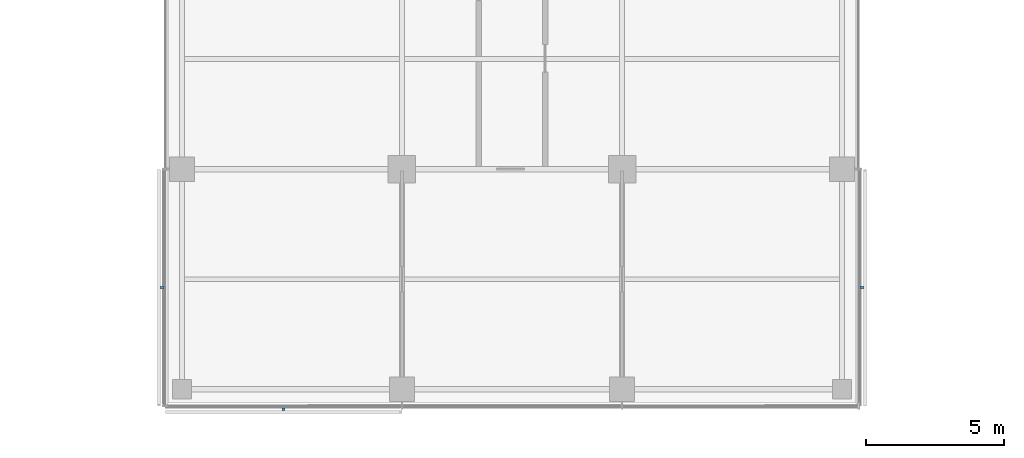
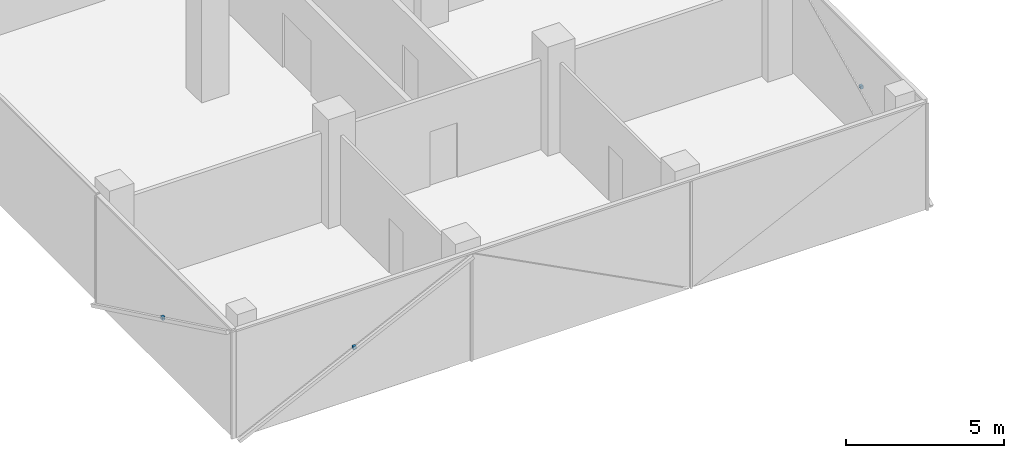
# One storey, part 18 of 22: 3 discrete accessories.
"""IFC4 building model written with IfcOpenShell, lengths in metres."""

from ifc_helpers import new_model, si_unit, direction, frame, origin, origin_2d, place, context, subcontext, project, spatial, rectangle, extrude, material, type_object, element, save


model = new_model("IFC4")

# Units and contexts
model_context = context("Model", 3, precision=1e-05, world=origin(), true_north=direction((0.0, 1.0)))
body_context = subcontext(model_context, "Body", "Model", "MODEL_VIEW")
ifc_project = project(units=[si_unit("LENGTHUNIT", "METRE"), si_unit("AREAUNIT", "SQUARE_METRE"), si_unit("VOLUMEUNIT", "CUBIC_METRE"), si_unit("PLANEANGLEUNIT", "RADIAN"), si_unit("MASSUNIT", "GRAM", prefix="KILO")], contexts=[model_context])

# Site, building, storey
site_placement = place(None, origin())
site = spatial("IfcSite", under=ifc_project, at=site_placement, CompositionType="ELEMENT")
building_placement = place(site_placement, origin())
building = spatial("IfcBuilding", under=site, at=building_placement, Name="Crosswind Convention Tower", CompositionType="ELEMENT")
storey_placement = place(building_placement, frame((0.0, 0.0, 121.10009765625)))
storey = spatial("IfcBuildingStorey", under=building, at=storey_placement, Name="L24", CompositionType="ELEMENT", Elevation=121.10009765625)

# Discrete accessories
ifc_material = material(Name="Stainless steel", Category="steel")
discrete_accessory_type = type_object("IfcDiscreteAccessoryType", Name="BAGUETTE BRACKET BK3", PredefinedType="BRACKET", material=ifc_material)
for number, where, z_axis, x_axis, name in (
    (1, (112.27392578125, 75.695068359375, 1.704833984375), (0.0, 0.0, 1.0), (0.0, -1.0, 0.0), "BK3 baguette bracket"),
    (2, (116.695068359375, 71.27392578125, 1.704833984375), (0.0, 0.0, 1.0), (1.0, 0.0, 0.0), "BK3 baguette bracket"),
    (3, (137.72607421875, 75.695068359375, 1.704833984375), (0.0, 0.0, 1.0), (0.0, 1.0, 0.0), "BK3 baguette bracket"),
):
    element("IfcDiscreteAccessory", number, at=place(storey_placement, frame(where, z_axis=z_axis, x_axis=x_axis)), inside=storey, type_object=discrete_accessory_type, Name=name, PredefinedType="BRACKET", context=body_context, shape_type="SweptSolid", body=[
        extrude(rectangle(XDim=0.1201171875, YDim=0.10009765625, at=origin_2d()), origin(), (0.0, 0.0, 1.0), 0.1201171875),
    ])

save(model, "model.ifc")
